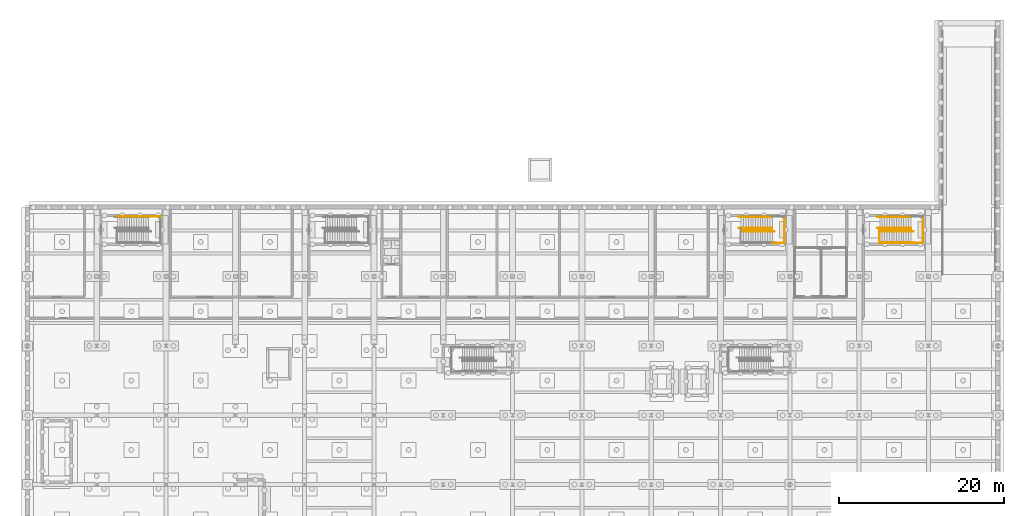
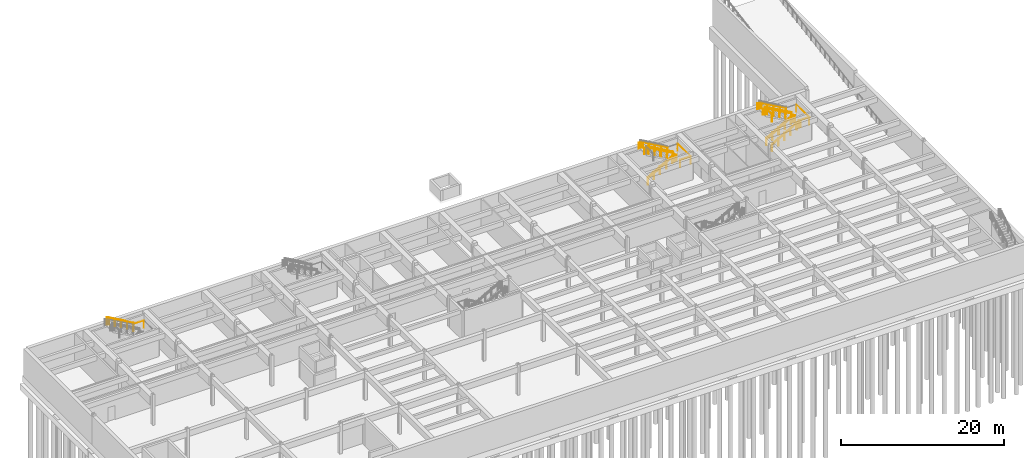
# One storey, part 31 of 33: 19 railings.
"""IFC4 building model written with IfcOpenShell, lengths in metres."""

from ifc_helpers import new_model, si_unit, direction, frame, origin, origin_2d, place, context, subcontext, project, spatial, circle, extrude, material, type_object, element, save


model = new_model("IFC4")

# Units and contexts
model_context = context("Model", 3, precision=1e-05, world=origin(), true_north=direction((0.0, 1.0)))
body_context = subcontext(model_context, "Body", "Model", "MODEL_VIEW")
ifc_project = project(units=[si_unit("LENGTHUNIT", "METRE"), si_unit("AREAUNIT", "SQUARE_METRE"), si_unit("VOLUMEUNIT", "CUBIC_METRE"), si_unit("PLANEANGLEUNIT", "RADIAN"), si_unit("MASSUNIT", "GRAM", prefix="KILO")], contexts=[model_context])

# Site, building, storey
site_placement = place(None, origin())
site = spatial("IfcSite", under=ifc_project, at=site_placement, CompositionType="ELEMENT")
building_placement = place(site_placement, origin())
building = spatial("IfcBuilding", under=site, at=building_placement, Name="Ljudholm Concert House", CompositionType="ELEMENT")
storey_placement = place(building_placement, frame((0.0, 0.0, -4.60009765625)))
storey = spatial("IfcBuildingStorey", under=building, at=storey_placement, Name="B1", CompositionType="ELEMENT", Elevation=-4.60009765625)

# Railings
ifc_material_1 = material(Name="Steel ASTM A36", Category="steel")
railing_type_1 = type_object("IfcRailingType", Name="GUARD 1100", PredefinedType="GUARDRAIL", material=ifc_material_1)
railing_1_placement = place(storey_placement, frame((18.669921875, 145.675048828125, 2.46435546875)))
element("IfcRailing", 1, at=railing_1_placement, inside=storey, type_object=railing_type_1, Name="Guard", PredefinedType="GUARDRAIL", context=body_context, shape_type="SweptSolid", body=[
    extrude(circle(Radius=0.02490234375, at=origin_2d()), frame((0.0, 0.0, 1.0751953125), z_axis=(-0.870025677096, 0.0, 0.493006410906), x_axis=(0.0, -1.0, 0.0)), (0.0, 0.0, 1.0), 0.999755859375),
    extrude(circle(Radius=0.02490234375, at=origin_2d()), frame((-0.869873046875, 0.0, 1.56787109375), z_axis=(-0.870085008278, 0.0, 0.4929016924), x_axis=(0.0, -1.0, 0.0)), (0.0, 0.0, 1.0), 1.0),
    extrude(circle(Radius=0.02490234375, at=origin_2d()), frame((-1.739990234375, 0.0, 2.06103515625), z_axis=(-0.870130407247, 0.0, 0.492821544155), x_axis=(0.0, -1.0, 0.0)), (0.0, 0.0, 1.0), 0.999755859375),
    extrude(circle(Radius=0.02490234375, at=origin_2d()), frame((-2.60986328125, 0.0, 2.5537109375), z_axis=(-0.870085008278, 0.0, 0.4929016924), x_axis=(0.0, -1.0, 0.0)), (0.0, 0.0, 1.0), 1.0),
    extrude(circle(Radius=0.02490234375, at=origin_2d()), frame((-3.47998046875, 0.0, 3.04638671875), z_axis=(-0.870085008278, 0.0, 0.4929016924), x_axis=(0.0, -1.0, 0.0)), (0.0, 0.0, 1.0), 0.333251953125),
    extrude(circle(Radius=0.02099609375, at=origin_2d()), origin(), (0.0, 0.0, 1.0), 1.050048828125),
    extrude(circle(Radius=0.02099609375, at=origin_2d()), frame((-0.869873046875, 0.0, 0.492919921875)), (0.0, 0.0, 1.0), 1.050048828125),
    extrude(circle(Radius=0.02099609375, at=origin_2d()), frame((-1.739990234375, 0.0, 0.98583984375)), (0.0, 0.0, 1.0), 1.050048828125),
    extrude(circle(Radius=0.02099609375, at=origin_2d()), frame((-2.60986328125, 0.0, 1.478515625)), (0.0, 0.0, 1.0), 1.050048828125),
    extrude(circle(Radius=0.02099609375, at=origin_2d()), frame((-3.47998046875, 0.0, 1.971435546875)), (0.0, 0.0, 1.0), 1.050048828125),
    extrude(circle(Radius=0.02099609375, at=origin_2d()), frame((-3.77001953125, 0.0, 2.1357421875)), (0.0, 0.0, 1.0), 1.050048828125),
])
railing_2_placement = place(storey_placement, frame((18.669921875, 145.675048828125, 2.300048828125)))
element("IfcRailing", 2, at=railing_2_placement, inside=storey, type_object=railing_type_1, Name="Guard", PredefinedType="GUARDRAIL", context=body_context, shape_type="SweptSolid", body=[
    extrude(circle(Radius=0.02490234375, at=origin_2d()), frame((0.0, 0.0, 1.0751953125), z_axis=(1.0, 0.0, 0.0), x_axis=(0.0, 1.0, 0.0)), (0.0, 0.0, 1.0), 1.47509765625),
    extrude(circle(Radius=0.02099609375, at=origin_2d()), origin(), (0.0, 0.0, 1.0), 1.050048828125),
    extrude(circle(Radius=0.02099609375, at=origin_2d()), frame((1.47509765625, 0.0, 0.0)), (0.0, 0.0, 1.0), 1.050048828125),
])
railing_3_placement = place(storey_placement, frame((90.5, 143.925048828125, 0.164306640625)))
element("IfcRailing", 3, at=railing_3_placement, inside=storey, type_object=railing_type_1, Name="Guard", PredefinedType="GUARDRAIL", context=body_context, shape_type="SweptSolid", body=[
    extrude(circle(Radius=0.02490234375, at=origin_2d()), frame((0.0, 0.0, 1.0751953125), z_axis=(0.870085008278, 0.0, 0.4929016924), x_axis=(0.0, 1.0, 0.0)), (0.0, 0.0, 1.0), 1.0),
    extrude(circle(Radius=0.02490234375, at=origin_2d()), frame((0.8701171875, 0.0, 1.56787109375), z_axis=(0.870025677096, 0.0, 0.493006410906), x_axis=(0.0, 1.0, 0.0)), (0.0, 0.0, 1.0), 0.999755859375),
    extrude(circle(Radius=0.02490234375, at=origin_2d()), frame((1.739990234375, 0.0, 2.06103515625), z_axis=(0.870085008278, 0.0, 0.4929016924), x_axis=(0.0, 1.0, 0.0)), (0.0, 0.0, 1.0), 1.0),
    extrude(circle(Radius=0.02490234375, at=origin_2d()), frame((2.610107421875, 0.0, 2.5537109375), z_axis=(0.870130407247, 0.0, 0.492821544155), x_axis=(0.0, 1.0, 0.0)), (0.0, 0.0, 1.0), 0.999755859375),
    extrude(circle(Radius=0.02490234375, at=origin_2d()), frame((3.47998046875, 0.0, 3.04638671875), z_axis=(0.870085008278, 0.0, 0.4929016924), x_axis=(0.0, 1.0, 0.0)), (0.0, 0.0, 1.0), 0.333251953125),
    extrude(circle(Radius=0.02099609375, at=origin_2d()), origin(), (0.0, 0.0, 1.0), 1.050048828125),
    extrude(circle(Radius=0.02099609375, at=origin_2d()), frame((0.8701171875, 0.0, 0.492919921875)), (0.0, 0.0, 1.0), 1.050048828125),
    extrude(circle(Radius=0.02099609375, at=origin_2d()), frame((1.739990234375, 0.0, 0.98583984375)), (0.0, 0.0, 1.0), 1.050048828125),
    extrude(circle(Radius=0.02099609375, at=origin_2d()), frame((2.610107421875, 0.0, 1.478759765625)), (0.0, 0.0, 1.0), 1.050048828125),
    extrude(circle(Radius=0.02099609375, at=origin_2d()), frame((3.47998046875, 0.0, 1.971435546875)), (0.0, 0.0, 1.0), 1.050048828125),
    extrude(circle(Radius=0.02099609375, at=origin_2d()), frame((3.77001953125, 0.0, 2.1357421875)), (0.0, 0.0, 1.0), 1.050048828125),
])
railing_4_placement = place(storey_placement, frame((94.27001953125, 144.22509765625, 2.46435546875)))
element("IfcRailing", 4, at=railing_4_placement, inside=storey, type_object=railing_type_1, Name="Guard", PredefinedType="GUARDRAIL", context=body_context, shape_type="SweptSolid", body=[
    extrude(circle(Radius=0.02490234375, at=origin_2d()), frame((0.0, 0.0, 1.0751953125), z_axis=(-0.870085008278, 0.0, 0.4929016924), x_axis=(0.0, -1.0, 0.0)), (0.0, 0.0, 1.0), 1.0),
    extrude(circle(Radius=0.02490234375, at=origin_2d()), frame((-0.8701171875, 0.0, 1.56787109375), z_axis=(-0.870025677096, 0.0, 0.493006410906), x_axis=(0.0, -1.0, 0.0)), (0.0, 0.0, 1.0), 0.999755859375),
    extrude(circle(Radius=0.02490234375, at=origin_2d()), frame((-1.739990234375, 0.0, 2.06103515625), z_axis=(-0.870189701074, 0.0, 0.492716839721), x_axis=(0.0, -1.0, 0.0)), (0.0, 0.0, 1.0), 1.0),
    extrude(circle(Radius=0.02490234375, at=origin_2d()), frame((-2.610107421875, 0.0, 2.5537109375), z_axis=(-0.870025677096, 0.0, 0.493006410906), x_axis=(0.0, -1.0, 0.0)), (0.0, 0.0, 1.0), 0.999755859375),
    extrude(circle(Radius=0.02490234375, at=origin_2d()), frame((-3.47998046875, 0.0, 3.04638671875), z_axis=(-0.870085008278, 0.0, 0.4929016924), x_axis=(0.0, -1.0, 0.0)), (0.0, 0.0, 1.0), 0.333251953125),
    extrude(circle(Radius=0.02099609375, at=origin_2d()), origin(), (0.0, 0.0, 1.0), 1.050048828125),
    extrude(circle(Radius=0.02099609375, at=origin_2d()), frame((-0.8701171875, 0.0, 0.492919921875)), (0.0, 0.0, 1.0), 1.050048828125),
    extrude(circle(Radius=0.02099609375, at=origin_2d()), frame((-1.739990234375, 0.0, 0.98583984375)), (0.0, 0.0, 1.0), 1.050048828125),
    extrude(circle(Radius=0.02099609375, at=origin_2d()), frame((-2.610107421875, 0.0, 1.478515625)), (0.0, 0.0, 1.0), 1.050048828125),
    extrude(circle(Radius=0.02099609375, at=origin_2d()), frame((-3.47998046875, 0.0, 1.971435546875)), (0.0, 0.0, 1.0), 1.050048828125),
    extrude(circle(Radius=0.02099609375, at=origin_2d()), frame((-3.77001953125, 0.0, 2.1357421875)), (0.0, 0.0, 1.0), 1.050048828125),
])
railing_5_placement = place(storey_placement, frame((94.27001953125, 142.47509765625, 2.300048828125)))
element("IfcRailing", 5, at=railing_5_placement, inside=storey, type_object=railing_type_1, Name="Guard", PredefinedType="GUARDRAIL", context=body_context, shape_type="SweptSolid", body=[
    extrude(circle(Radius=0.02490234375, at=origin_2d()), frame((0.0, 0.0, 1.0751953125), z_axis=(1.0, 0.0, 0.0), x_axis=(0.0, 1.0, 0.0)), (0.0, 0.0, 1.0), 1.47509765625),
    extrude(circle(Radius=0.02099609375, at=origin_2d()), origin(), (0.0, 0.0, 1.0), 1.050048828125),
    extrude(circle(Radius=0.02099609375, at=origin_2d()), frame((1.47509765625, 0.0, 0.0)), (0.0, 0.0, 1.0), 1.050048828125),
])
railing_6_placement = place(storey_placement, frame((95.7451171875, 142.47509765625, 2.300048828125)))
element("IfcRailing", 6, at=railing_6_placement, inside=storey, type_object=railing_type_1, Name="Guard", PredefinedType="GUARDRAIL", context=body_context, shape_type="SweptSolid", body=[
    extrude(circle(Radius=0.02490234375, at=origin_2d()), frame((0.0, 0.0, 1.0751953125), z_axis=(0.0, 1.0, 0.0), x_axis=(-1.0, 0.0, 0.0)), (0.0, 0.0, 1.0), 3.199951171875),
    extrude(circle(Radius=0.02099609375, at=origin_2d()), origin(), (0.0, 0.0, 1.0), 1.050048828125),
    extrude(circle(Radius=0.02099609375, at=origin_2d()), frame((0.0, 3.199951171875, 0.0)), (0.0, 0.0, 1.0), 1.050048828125),
])
railing_7_placement = place(storey_placement, frame((107.300048828125, 143.925048828125, 0.164306640625)))
element("IfcRailing", 7, at=railing_7_placement, inside=storey, type_object=railing_type_1, Name="Guard", PredefinedType="GUARDRAIL", context=body_context, shape_type="SweptSolid", body=[
    extrude(circle(Radius=0.02490234375, at=origin_2d()), frame((0.0, 0.0, 1.0751953125), z_axis=(0.870025677096, 0.0, 0.493006410906), x_axis=(0.0, 1.0, 0.0)), (0.0, 0.0, 1.0), 0.999755859375),
    extrude(circle(Radius=0.02490234375, at=origin_2d()), frame((0.869873046875, 0.0, 1.56787109375), z_axis=(0.870085008278, 0.0, 0.4929016924), x_axis=(0.0, 1.0, 0.0)), (0.0, 0.0, 1.0), 1.0),
    extrude(circle(Radius=0.02490234375, at=origin_2d()), frame((1.739990234375, 0.0, 2.06103515625), z_axis=(0.870025677096, 0.0, 0.493006410906), x_axis=(0.0, 1.0, 0.0)), (0.0, 0.0, 1.0), 0.999755859375),
    extrude(circle(Radius=0.02490234375, at=origin_2d()), frame((2.60986328125, 0.0, 2.5537109375), z_axis=(0.870189701074, 0.0, 0.492716839721), x_axis=(0.0, 1.0, 0.0)), (0.0, 0.0, 1.0), 1.0),
    extrude(circle(Radius=0.02490234375, at=origin_2d()), frame((3.47998046875, 0.0, 3.04638671875), z_axis=(0.870085008278, 0.0, 0.4929016924), x_axis=(0.0, 1.0, 0.0)), (0.0, 0.0, 1.0), 0.333251953125),
    extrude(circle(Radius=0.02099609375, at=origin_2d()), origin(), (0.0, 0.0, 1.0), 1.050048828125),
    extrude(circle(Radius=0.02099609375, at=origin_2d()), frame((0.869873046875, 0.0, 0.492919921875)), (0.0, 0.0, 1.0), 1.050048828125),
    extrude(circle(Radius=0.02099609375, at=origin_2d()), frame((1.739990234375, 0.0, 0.98583984375)), (0.0, 0.0, 1.0), 1.050048828125),
    extrude(circle(Radius=0.02099609375, at=origin_2d()), frame((2.60986328125, 0.0, 1.478759765625)), (0.0, 0.0, 1.0), 1.050048828125),
    extrude(circle(Radius=0.02099609375, at=origin_2d()), frame((3.47998046875, 0.0, 1.971435546875)), (0.0, 0.0, 1.0), 1.050048828125),
    extrude(circle(Radius=0.02099609375, at=origin_2d()), frame((3.77001953125, 0.0, 2.1357421875)), (0.0, 0.0, 1.0), 1.050048828125),
])
railing_8_placement = place(storey_placement, frame((107.300048828125, 142.47509765625, 0.164306640625)))
element("IfcRailing", 8, at=railing_8_placement, inside=storey, type_object=railing_type_1, Name="Guard", PredefinedType="GUARDRAIL", context=body_context, shape_type="SweptSolid", body=[
    extrude(circle(Radius=0.02490234375, at=origin_2d()), frame((0.0, 0.0, 1.0751953125), z_axis=(0.870025677096, 0.0, 0.493006410906), x_axis=(0.0, 1.0, 0.0)), (0.0, 0.0, 1.0), 0.999755859375),
    extrude(circle(Radius=0.02490234375, at=origin_2d()), frame((0.869873046875, 0.0, 1.56787109375), z_axis=(0.870085008278, 0.0, 0.4929016924), x_axis=(0.0, 1.0, 0.0)), (0.0, 0.0, 1.0), 1.0),
    extrude(circle(Radius=0.02490234375, at=origin_2d()), frame((1.739990234375, 0.0, 2.06103515625), z_axis=(0.870025677096, 0.0, 0.493006410906), x_axis=(0.0, 1.0, 0.0)), (0.0, 0.0, 1.0), 0.999755859375),
    extrude(circle(Radius=0.02490234375, at=origin_2d()), frame((2.60986328125, 0.0, 2.5537109375), z_axis=(0.870189701074, 0.0, 0.492716839721), x_axis=(0.0, 1.0, 0.0)), (0.0, 0.0, 1.0), 1.0),
    extrude(circle(Radius=0.02490234375, at=origin_2d()), frame((3.47998046875, 0.0, 3.04638671875), z_axis=(0.870085008278, 0.0, 0.4929016924), x_axis=(0.0, 1.0, 0.0)), (0.0, 0.0, 1.0), 0.333251953125),
    extrude(circle(Radius=0.02099609375, at=origin_2d()), origin(), (0.0, 0.0, 1.0), 1.050048828125),
    extrude(circle(Radius=0.02099609375, at=origin_2d()), frame((0.869873046875, 0.0, 0.492919921875)), (0.0, 0.0, 1.0), 1.050048828125),
    extrude(circle(Radius=0.02099609375, at=origin_2d()), frame((1.739990234375, 0.0, 0.98583984375)), (0.0, 0.0, 1.0), 1.050048828125),
    extrude(circle(Radius=0.02099609375, at=origin_2d()), frame((2.60986328125, 0.0, 1.478759765625)), (0.0, 0.0, 1.0), 1.050048828125),
    extrude(circle(Radius=0.02099609375, at=origin_2d()), frame((3.47998046875, 0.0, 1.971435546875)), (0.0, 0.0, 1.0), 1.050048828125),
    extrude(circle(Radius=0.02099609375, at=origin_2d()), frame((3.77001953125, 0.0, 2.1357421875)), (0.0, 0.0, 1.0), 1.050048828125),
])
railing_9_placement = place(storey_placement, frame((111.070068359375, 144.22509765625, 2.46435546875)))
element("IfcRailing", 9, at=railing_9_placement, inside=storey, type_object=railing_type_1, Name="Guard", PredefinedType="GUARDRAIL", context=body_context, shape_type="SweptSolid", body=[
    extrude(circle(Radius=0.02490234375, at=origin_2d()), frame((0.0, 0.0, 1.0751953125), z_axis=(-0.870085008278, 0.0, 0.4929016924), x_axis=(0.0, -1.0, 0.0)), (0.0, 0.0, 1.0), 1.0),
    extrude(circle(Radius=0.02490234375, at=origin_2d()), frame((-0.8701171875, 0.0, 1.56787109375), z_axis=(-0.870025677096, 0.0, 0.493006410906), x_axis=(0.0, -1.0, 0.0)), (0.0, 0.0, 1.0), 0.999755859375),
    extrude(circle(Radius=0.02490234375, at=origin_2d()), frame((-1.739990234375, 0.0, 2.06103515625), z_axis=(-0.870189701074, 0.0, 0.492716839721), x_axis=(0.0, -1.0, 0.0)), (0.0, 0.0, 1.0), 1.0),
    extrude(circle(Radius=0.02490234375, at=origin_2d()), frame((-2.610107421875, 0.0, 2.5537109375), z_axis=(-0.870025677096, 0.0, 0.493006410906), x_axis=(0.0, -1.0, 0.0)), (0.0, 0.0, 1.0), 0.999755859375),
    extrude(circle(Radius=0.02490234375, at=origin_2d()), frame((-3.47998046875, 0.0, 3.04638671875), z_axis=(-0.870085008278, 0.0, 0.4929016924), x_axis=(0.0, -1.0, 0.0)), (0.0, 0.0, 1.0), 0.333251953125),
    extrude(circle(Radius=0.02099609375, at=origin_2d()), origin(), (0.0, 0.0, 1.0), 1.050048828125),
    extrude(circle(Radius=0.02099609375, at=origin_2d()), frame((-0.8701171875, 0.0, 0.492919921875)), (0.0, 0.0, 1.0), 1.050048828125),
    extrude(circle(Radius=0.02099609375, at=origin_2d()), frame((-1.739990234375, 0.0, 0.98583984375)), (0.0, 0.0, 1.0), 1.050048828125),
    extrude(circle(Radius=0.02099609375, at=origin_2d()), frame((-2.610107421875, 0.0, 1.478515625)), (0.0, 0.0, 1.0), 1.050048828125),
    extrude(circle(Radius=0.02099609375, at=origin_2d()), frame((-3.47998046875, 0.0, 1.971435546875)), (0.0, 0.0, 1.0), 1.050048828125),
    extrude(circle(Radius=0.02099609375, at=origin_2d()), frame((-3.77001953125, 0.0, 2.1357421875)), (0.0, 0.0, 1.0), 1.050048828125),
])
railing_10_placement = place(storey_placement, frame((107.25, 142.449951171875, 4.60009765625)))
element("IfcRailing", 10, at=railing_10_placement, inside=storey, type_object=railing_type_1, Name="Guard", PredefinedType="GUARDRAIL", context=body_context, shape_type="SweptSolid", body=[
    extrude(circle(Radius=0.02490234375, at=origin_2d()), frame((0.0, 0.0, 1.0751953125), z_axis=(0.0, 1.0, 0.0), x_axis=(-1.0, 0.0, 0.0)), (0.0, 0.0, 1.0), 1.75),
    extrude(circle(Radius=0.02099609375, at=origin_2d()), origin(), (0.0, 0.0, 1.0), 1.050048828125),
    extrude(circle(Radius=0.02099609375, at=origin_2d()), frame((0.0, 1.75, 0.0)), (0.0, 0.0, 1.0), 1.050048828125),
])
railing_11_placement = place(storey_placement, frame((111.070068359375, 142.47509765625, 2.300048828125)))
element("IfcRailing", 11, at=railing_11_placement, inside=storey, type_object=railing_type_1, Name="Guard", PredefinedType="GUARDRAIL", context=body_context, shape_type="SweptSolid", body=[
    extrude(circle(Radius=0.02490234375, at=origin_2d()), frame((0.0, 0.0, 1.0751953125), z_axis=(1.0, 0.0, 0.0), x_axis=(0.0, 1.0, 0.0)), (0.0, 0.0, 1.0), 1.474853515625),
    extrude(circle(Radius=0.02099609375, at=origin_2d()), origin(), (0.0, 0.0, 1.0), 1.050048828125),
    extrude(circle(Radius=0.02099609375, at=origin_2d()), frame((1.474853515625, 0.0, 0.0)), (0.0, 0.0, 1.0), 1.050048828125),
])
railing_12_placement = place(storey_placement, frame((112.544921875, 142.47509765625, 2.300048828125)))
element("IfcRailing", 12, at=railing_12_placement, inside=storey, type_object=railing_type_1, Name="Guard", PredefinedType="GUARDRAIL", context=body_context, shape_type="SweptSolid", body=[
    extrude(circle(Radius=0.02490234375, at=origin_2d()), frame((0.0, 0.0, 1.0751953125), z_axis=(0.0, 1.0, 0.0), x_axis=(-1.0, 0.0, 0.0)), (0.0, 0.0, 1.0), 3.199951171875),
    extrude(circle(Radius=0.02099609375, at=origin_2d()), origin(), (0.0, 0.0, 1.0), 1.050048828125),
    extrude(circle(Radius=0.02099609375, at=origin_2d()), frame((0.0, 3.199951171875, 0.0)), (0.0, 0.0, 1.0), 1.050048828125),
])
ifc_material_2 = material(Name="Steel ASTM A36", Category="steel")
railing_type_2 = type_object("IfcRailingType", Name="HANDRAIL 900", PredefinedType="HANDRAIL", material=ifc_material_2)
railing_13_placement = place(storey_placement, frame((90.5, 143.875, 0.164306640625)))
element("IfcRailing", 13, at=railing_13_placement, inside=storey, type_object=railing_type_2, Name="Handrail", PredefinedType="HANDRAIL", context=body_context, shape_type="SweptSolid", body=[
    extrude(circle(Radius=0.0224609375, at=origin_2d()), frame((0.0, 0.0, 0.87744140625), z_axis=(0.870085008278, 0.0, 0.4929016924), x_axis=(0.0, 1.0, 0.0)), (0.0, 0.0, 1.0), 1.0),
    extrude(circle(Radius=0.0224609375, at=origin_2d()), frame((0.8701171875, 0.0, 1.370361328125), z_axis=(0.870025677096, 0.0, 0.493006410906), x_axis=(0.0, 1.0, 0.0)), (0.0, 0.0, 1.0), 0.999755859375),
    extrude(circle(Radius=0.0224609375, at=origin_2d()), frame((1.739990234375, 0.0, 1.86328125), z_axis=(0.870085008278, 0.0, 0.4929016924), x_axis=(0.0, 1.0, 0.0)), (0.0, 0.0, 1.0), 1.0),
    extrude(circle(Radius=0.0224609375, at=origin_2d()), frame((2.610107421875, 0.0, 2.356201171875), z_axis=(0.870130407247, 0.0, 0.492821544155), x_axis=(0.0, 1.0, 0.0)), (0.0, 0.0, 1.0), 0.999755859375),
    extrude(circle(Radius=0.0224609375, at=origin_2d()), frame((3.47998046875, 0.0, 2.848876953125), z_axis=(0.870085008278, 0.0, 0.4929016924), x_axis=(0.0, 1.0, 0.0)), (0.0, 0.0, 1.0), 0.333251953125),
    extrude(circle(Radius=0.0224609375, at=origin_2d()), frame((3.77001953125, 0.0, 3.01318359375), z_axis=(1.0, 0.0, 0.0), x_axis=(0.0, 1.0, 0.0)), (0.0, 0.0, 1.0), 0.300048828125),
    extrude(circle(Radius=0.02099609375, at=origin_2d()), origin(), (0.0, 0.0, 1.0), 0.85498046875),
    extrude(circle(Radius=0.02099609375, at=origin_2d()), frame((0.8701171875, 0.0, 0.492919921875)), (0.0, 0.0, 1.0), 0.85498046875),
    extrude(circle(Radius=0.02099609375, at=origin_2d()), frame((1.739990234375, 0.0, 0.98583984375)), (0.0, 0.0, 1.0), 0.85498046875),
    extrude(circle(Radius=0.02099609375, at=origin_2d()), frame((2.610107421875, 0.0, 1.478759765625)), (0.0, 0.0, 1.0), 0.85498046875),
    extrude(circle(Radius=0.02099609375, at=origin_2d()), frame((3.47998046875, 0.0, 1.971435546875)), (0.0, 0.0, 1.0), 0.85498046875),
    extrude(circle(Radius=0.02099609375, at=origin_2d()), frame((3.77001953125, 0.0, 2.1357421875)), (0.0, 0.0, 1.0), 0.85498046875),
    extrude(circle(Radius=0.02099609375, at=origin_2d()), frame((4.070068359375, 0.0, 2.1357421875)), (0.0, 0.0, 1.0), 0.85498046875),
])
railing_14_placement = place(storey_placement, frame((94.27001953125, 144.27490234375, 2.46435546875)))
element("IfcRailing", 14, at=railing_14_placement, inside=storey, type_object=railing_type_2, Name="Handrail", PredefinedType="HANDRAIL", context=body_context, shape_type="SweptSolid", body=[
    extrude(circle(Radius=0.0224609375, at=origin_2d()), frame((0.0, 0.0, 0.87744140625), z_axis=(-0.870085008278, 0.0, 0.4929016924), x_axis=(0.0, -1.0, 0.0)), (0.0, 0.0, 1.0), 1.0),
    extrude(circle(Radius=0.0224609375, at=origin_2d()), frame((-0.8701171875, 0.0, 1.370361328125), z_axis=(-0.870025677096, 0.0, 0.493006410906), x_axis=(0.0, -1.0, 0.0)), (0.0, 0.0, 1.0), 0.999755859375),
    extrude(circle(Radius=0.0224609375, at=origin_2d()), frame((-1.739990234375, 0.0, 1.86328125), z_axis=(-0.870189701074, 0.0, 0.492716839721), x_axis=(0.0, -1.0, 0.0)), (0.0, 0.0, 1.0), 1.0),
    extrude(circle(Radius=0.0224609375, at=origin_2d()), frame((-2.610107421875, 0.0, 2.35595703125), z_axis=(-0.870025677096, 0.0, 0.493006410906), x_axis=(0.0, -1.0, 0.0)), (0.0, 0.0, 1.0), 0.999755859375),
    extrude(circle(Radius=0.0224609375, at=origin_2d()), frame((-3.47998046875, 0.0, 2.848876953125), z_axis=(-0.870085008278, 0.0, 0.4929016924), x_axis=(0.0, -1.0, 0.0)), (0.0, 0.0, 1.0), 0.333251953125),
    extrude(circle(Radius=0.0224609375, at=origin_2d()), frame((-3.77001953125, 0.0, 3.01318359375), z_axis=(-1.0, 0.0, 0.0), x_axis=(0.0, -1.0, 0.0)), (0.0, 0.0, 1.0), 0.300048828125),
    extrude(circle(Radius=0.02099609375, at=origin_2d()), origin(), (0.0, 0.0, 1.0), 0.85498046875),
    extrude(circle(Radius=0.02099609375, at=origin_2d()), frame((-0.8701171875, 0.0, 0.492919921875)), (0.0, 0.0, 1.0), 0.85498046875),
    extrude(circle(Radius=0.02099609375, at=origin_2d()), frame((-1.739990234375, 0.0, 0.98583984375)), (0.0, 0.0, 1.0), 0.85498046875),
    extrude(circle(Radius=0.02099609375, at=origin_2d()), frame((-2.610107421875, 0.0, 1.478515625)), (0.0, 0.0, 1.0), 0.85498046875),
    extrude(circle(Radius=0.02099609375, at=origin_2d()), frame((-3.47998046875, 0.0, 1.971435546875)), (0.0, 0.0, 1.0), 0.85498046875),
    extrude(circle(Radius=0.02099609375, at=origin_2d()), frame((-3.77001953125, 0.0, 2.1357421875)), (0.0, 0.0, 1.0), 0.85498046875),
    extrude(circle(Radius=0.02099609375, at=origin_2d()), frame((-4.070068359375, 0.0, 2.1357421875)), (0.0, 0.0, 1.0), 0.85498046875),
])
railing_15_placement = place(storey_placement, frame((94.27001953125, 145.625, 2.46435546875)))
element("IfcRailing", 15, at=railing_15_placement, inside=storey, type_object=railing_type_2, Name="Handrail", PredefinedType="HANDRAIL", context=body_context, shape_type="SweptSolid", body=[
    extrude(circle(Radius=0.0224609375, at=origin_2d()), frame((0.0, 0.0, 0.87744140625), z_axis=(-0.870085008278, 0.0, 0.4929016924), x_axis=(0.0, -1.0, 0.0)), (0.0, 0.0, 1.0), 1.0),
    extrude(circle(Radius=0.0224609375, at=origin_2d()), frame((-0.8701171875, 0.0, 1.370361328125), z_axis=(-0.870025677096, 0.0, 0.493006410906), x_axis=(0.0, -1.0, 0.0)), (0.0, 0.0, 1.0), 0.999755859375),
    extrude(circle(Radius=0.0224609375, at=origin_2d()), frame((-1.739990234375, 0.0, 1.86328125), z_axis=(-0.870189701074, 0.0, 0.492716839721), x_axis=(0.0, -1.0, 0.0)), (0.0, 0.0, 1.0), 1.0),
    extrude(circle(Radius=0.0224609375, at=origin_2d()), frame((-2.610107421875, 0.0, 2.35595703125), z_axis=(-0.870025677096, 0.0, 0.493006410906), x_axis=(0.0, -1.0, 0.0)), (0.0, 0.0, 1.0), 0.999755859375),
    extrude(circle(Radius=0.0224609375, at=origin_2d()), frame((-3.47998046875, 0.0, 2.848876953125), z_axis=(-0.870085008278, 0.0, 0.4929016924), x_axis=(0.0, -1.0, 0.0)), (0.0, 0.0, 1.0), 0.333251953125),
    extrude(circle(Radius=0.0224609375, at=origin_2d()), frame((-3.77001953125, 0.0, 3.01318359375), z_axis=(-1.0, 0.0, 0.0), x_axis=(0.0, -1.0, 0.0)), (0.0, 0.0, 1.0), 0.300048828125),
    extrude(circle(Radius=0.02099609375, at=origin_2d()), origin(), (0.0, 0.0, 1.0), 0.85498046875),
    extrude(circle(Radius=0.02099609375, at=origin_2d()), frame((-0.8701171875, 0.0, 0.492919921875)), (0.0, 0.0, 1.0), 0.85498046875),
    extrude(circle(Radius=0.02099609375, at=origin_2d()), frame((-1.739990234375, 0.0, 0.98583984375)), (0.0, 0.0, 1.0), 0.85498046875),
    extrude(circle(Radius=0.02099609375, at=origin_2d()), frame((-2.610107421875, 0.0, 1.478515625)), (0.0, 0.0, 1.0), 0.85498046875),
    extrude(circle(Radius=0.02099609375, at=origin_2d()), frame((-3.47998046875, 0.0, 1.971435546875)), (0.0, 0.0, 1.0), 0.85498046875),
    extrude(circle(Radius=0.02099609375, at=origin_2d()), frame((-3.77001953125, 0.0, 2.1357421875)), (0.0, 0.0, 1.0), 0.85498046875),
    extrude(circle(Radius=0.02099609375, at=origin_2d()), frame((-4.070068359375, 0.0, 2.1357421875)), (0.0, 0.0, 1.0), 0.85498046875),
])
railing_16_placement = place(storey_placement, frame((107.300048828125, 143.875, 0.164306640625)))
element("IfcRailing", 16, at=railing_16_placement, inside=storey, type_object=railing_type_2, Name="Handrail", PredefinedType="HANDRAIL", context=body_context, shape_type="SweptSolid", body=[
    extrude(circle(Radius=0.0224609375, at=origin_2d()), frame((0.0, 0.0, 0.87744140625), z_axis=(0.870025677096, 0.0, 0.493006410906), x_axis=(0.0, 1.0, 0.0)), (0.0, 0.0, 1.0), 0.999755859375),
    extrude(circle(Radius=0.0224609375, at=origin_2d()), frame((0.869873046875, 0.0, 1.370361328125), z_axis=(0.870085008278, 0.0, 0.4929016924), x_axis=(0.0, 1.0, 0.0)), (0.0, 0.0, 1.0), 1.0),
    extrude(circle(Radius=0.0224609375, at=origin_2d()), frame((1.739990234375, 0.0, 1.86328125), z_axis=(0.870025677096, 0.0, 0.493006410906), x_axis=(0.0, 1.0, 0.0)), (0.0, 0.0, 1.0), 0.999755859375),
    extrude(circle(Radius=0.0224609375, at=origin_2d()), frame((2.60986328125, 0.0, 2.356201171875), z_axis=(0.870189701074, 0.0, 0.492716839721), x_axis=(0.0, 1.0, 0.0)), (0.0, 0.0, 1.0), 1.0),
    extrude(circle(Radius=0.0224609375, at=origin_2d()), frame((3.47998046875, 0.0, 2.848876953125), z_axis=(0.870085008278, 0.0, 0.4929016924), x_axis=(0.0, 1.0, 0.0)), (0.0, 0.0, 1.0), 0.333251953125),
    extrude(circle(Radius=0.0224609375, at=origin_2d()), frame((3.77001953125, 0.0, 3.01318359375), z_axis=(1.0, 0.0, 0.0), x_axis=(0.0, 1.0, 0.0)), (0.0, 0.0, 1.0), 0.300048828125),
    extrude(circle(Radius=0.02099609375, at=origin_2d()), origin(), (0.0, 0.0, 1.0), 0.85498046875),
    extrude(circle(Radius=0.02099609375, at=origin_2d()), frame((0.869873046875, 0.0, 0.492919921875)), (0.0, 0.0, 1.0), 0.85498046875),
    extrude(circle(Radius=0.02099609375, at=origin_2d()), frame((1.739990234375, 0.0, 0.98583984375)), (0.0, 0.0, 1.0), 0.85498046875),
    extrude(circle(Radius=0.02099609375, at=origin_2d()), frame((2.60986328125, 0.0, 1.478759765625)), (0.0, 0.0, 1.0), 0.85498046875),
    extrude(circle(Radius=0.02099609375, at=origin_2d()), frame((3.47998046875, 0.0, 1.971435546875)), (0.0, 0.0, 1.0), 0.85498046875),
    extrude(circle(Radius=0.02099609375, at=origin_2d()), frame((3.77001953125, 0.0, 2.1357421875)), (0.0, 0.0, 1.0), 0.85498046875),
    extrude(circle(Radius=0.02099609375, at=origin_2d()), frame((4.070068359375, 0.0, 2.1357421875)), (0.0, 0.0, 1.0), 0.85498046875),
])
railing_17_placement = place(storey_placement, frame((107.300048828125, 142.52490234375, 0.164306640625)))
element("IfcRailing", 17, at=railing_17_placement, inside=storey, type_object=railing_type_2, Name="Handrail", PredefinedType="HANDRAIL", context=body_context, shape_type="SweptSolid", body=[
    extrude(circle(Radius=0.0224609375, at=origin_2d()), frame((0.0, 0.0, 0.87744140625), z_axis=(0.870025677096, 0.0, 0.493006410906), x_axis=(0.0, 1.0, 0.0)), (0.0, 0.0, 1.0), 0.999755859375),
    extrude(circle(Radius=0.0224609375, at=origin_2d()), frame((0.869873046875, 0.0, 1.370361328125), z_axis=(0.870085008278, 0.0, 0.4929016924), x_axis=(0.0, 1.0, 0.0)), (0.0, 0.0, 1.0), 1.0),
    extrude(circle(Radius=0.0224609375, at=origin_2d()), frame((1.739990234375, 0.0, 1.86328125), z_axis=(0.870025677096, 0.0, 0.493006410906), x_axis=(0.0, 1.0, 0.0)), (0.0, 0.0, 1.0), 0.999755859375),
    extrude(circle(Radius=0.0224609375, at=origin_2d()), frame((2.60986328125, 0.0, 2.356201171875), z_axis=(0.870189701074, 0.0, 0.492716839721), x_axis=(0.0, 1.0, 0.0)), (0.0, 0.0, 1.0), 1.0),
    extrude(circle(Radius=0.0224609375, at=origin_2d()), frame((3.47998046875, 0.0, 2.848876953125), z_axis=(0.870085008278, 0.0, 0.4929016924), x_axis=(0.0, 1.0, 0.0)), (0.0, 0.0, 1.0), 0.333251953125),
    extrude(circle(Radius=0.0224609375, at=origin_2d()), frame((3.77001953125, 0.0, 3.01318359375), z_axis=(1.0, 0.0, 0.0), x_axis=(0.0, 1.0, 0.0)), (0.0, 0.0, 1.0), 0.300048828125),
    extrude(circle(Radius=0.02099609375, at=origin_2d()), origin(), (0.0, 0.0, 1.0), 0.85498046875),
    extrude(circle(Radius=0.02099609375, at=origin_2d()), frame((0.869873046875, 0.0, 0.492919921875)), (0.0, 0.0, 1.0), 0.85498046875),
    extrude(circle(Radius=0.02099609375, at=origin_2d()), frame((1.739990234375, 0.0, 0.98583984375)), (0.0, 0.0, 1.0), 0.85498046875),
    extrude(circle(Radius=0.02099609375, at=origin_2d()), frame((2.60986328125, 0.0, 1.478759765625)), (0.0, 0.0, 1.0), 0.85498046875),
    extrude(circle(Radius=0.02099609375, at=origin_2d()), frame((3.47998046875, 0.0, 1.971435546875)), (0.0, 0.0, 1.0), 0.85498046875),
    extrude(circle(Radius=0.02099609375, at=origin_2d()), frame((3.77001953125, 0.0, 2.1357421875)), (0.0, 0.0, 1.0), 0.85498046875),
    extrude(circle(Radius=0.02099609375, at=origin_2d()), frame((4.070068359375, 0.0, 2.1357421875)), (0.0, 0.0, 1.0), 0.85498046875),
])
railing_18_placement = place(storey_placement, frame((111.070068359375, 144.27490234375, 2.46435546875)))
element("IfcRailing", 18, at=railing_18_placement, inside=storey, type_object=railing_type_2, Name="Handrail", PredefinedType="HANDRAIL", context=body_context, shape_type="SweptSolid", body=[
    extrude(circle(Radius=0.0224609375, at=origin_2d()), frame((0.0, 0.0, 0.87744140625), z_axis=(-0.870085008278, 0.0, 0.4929016924), x_axis=(0.0, -1.0, 0.0)), (0.0, 0.0, 1.0), 1.0),
    extrude(circle(Radius=0.0224609375, at=origin_2d()), frame((-0.8701171875, 0.0, 1.370361328125), z_axis=(-0.870025677096, 0.0, 0.493006410906), x_axis=(0.0, -1.0, 0.0)), (0.0, 0.0, 1.0), 0.999755859375),
    extrude(circle(Radius=0.0224609375, at=origin_2d()), frame((-1.739990234375, 0.0, 1.86328125), z_axis=(-0.870189701074, 0.0, 0.492716839721), x_axis=(0.0, -1.0, 0.0)), (0.0, 0.0, 1.0), 1.0),
    extrude(circle(Radius=0.0224609375, at=origin_2d()), frame((-2.610107421875, 0.0, 2.35595703125), z_axis=(-0.870025677096, 0.0, 0.493006410906), x_axis=(0.0, -1.0, 0.0)), (0.0, 0.0, 1.0), 0.999755859375),
    extrude(circle(Radius=0.0224609375, at=origin_2d()), frame((-3.47998046875, 0.0, 2.848876953125), z_axis=(-0.870085008278, 0.0, 0.4929016924), x_axis=(0.0, -1.0, 0.0)), (0.0, 0.0, 1.0), 0.333251953125),
    extrude(circle(Radius=0.0224609375, at=origin_2d()), frame((-3.77001953125, 0.0, 3.01318359375), z_axis=(-1.0, 0.0, 0.0), x_axis=(0.0, -1.0, 0.0)), (0.0, 0.0, 1.0), 0.300048828125),
    extrude(circle(Radius=0.02099609375, at=origin_2d()), origin(), (0.0, 0.0, 1.0), 0.85498046875),
    extrude(circle(Radius=0.02099609375, at=origin_2d()), frame((-0.8701171875, 0.0, 0.492919921875)), (0.0, 0.0, 1.0), 0.85498046875),
    extrude(circle(Radius=0.02099609375, at=origin_2d()), frame((-1.739990234375, 0.0, 0.98583984375)), (0.0, 0.0, 1.0), 0.85498046875),
    extrude(circle(Radius=0.02099609375, at=origin_2d()), frame((-2.610107421875, 0.0, 1.478515625)), (0.0, 0.0, 1.0), 0.85498046875),
    extrude(circle(Radius=0.02099609375, at=origin_2d()), frame((-3.47998046875, 0.0, 1.971435546875)), (0.0, 0.0, 1.0), 0.85498046875),
    extrude(circle(Radius=0.02099609375, at=origin_2d()), frame((-3.77001953125, 0.0, 2.1357421875)), (0.0, 0.0, 1.0), 0.85498046875),
    extrude(circle(Radius=0.02099609375, at=origin_2d()), frame((-4.070068359375, 0.0, 2.1357421875)), (0.0, 0.0, 1.0), 0.85498046875),
])
railing_19_placement = place(storey_placement, frame((111.070068359375, 145.625, 2.46435546875)))
element("IfcRailing", 19, at=railing_19_placement, inside=storey, type_object=railing_type_2, Name="Handrail", PredefinedType="HANDRAIL", context=body_context, shape_type="SweptSolid", body=[
    extrude(circle(Radius=0.0224609375, at=origin_2d()), frame((0.0, 0.0, 0.87744140625), z_axis=(-0.870085008278, 0.0, 0.4929016924), x_axis=(0.0, -1.0, 0.0)), (0.0, 0.0, 1.0), 1.0),
    extrude(circle(Radius=0.0224609375, at=origin_2d()), frame((-0.8701171875, 0.0, 1.370361328125), z_axis=(-0.870025677096, 0.0, 0.493006410906), x_axis=(0.0, -1.0, 0.0)), (0.0, 0.0, 1.0), 0.999755859375),
    extrude(circle(Radius=0.0224609375, at=origin_2d()), frame((-1.739990234375, 0.0, 1.86328125), z_axis=(-0.870189701074, 0.0, 0.492716839721), x_axis=(0.0, -1.0, 0.0)), (0.0, 0.0, 1.0), 1.0),
    extrude(circle(Radius=0.0224609375, at=origin_2d()), frame((-2.610107421875, 0.0, 2.35595703125), z_axis=(-0.870025677096, 0.0, 0.493006410906), x_axis=(0.0, -1.0, 0.0)), (0.0, 0.0, 1.0), 0.999755859375),
    extrude(circle(Radius=0.0224609375, at=origin_2d()), frame((-3.47998046875, 0.0, 2.848876953125), z_axis=(-0.870085008278, 0.0, 0.4929016924), x_axis=(0.0, -1.0, 0.0)), (0.0, 0.0, 1.0), 0.333251953125),
    extrude(circle(Radius=0.0224609375, at=origin_2d()), frame((-3.77001953125, 0.0, 3.01318359375), z_axis=(-1.0, 0.0, 0.0), x_axis=(0.0, -1.0, 0.0)), (0.0, 0.0, 1.0), 0.300048828125),
    extrude(circle(Radius=0.02099609375, at=origin_2d()), origin(), (0.0, 0.0, 1.0), 0.85498046875),
    extrude(circle(Radius=0.02099609375, at=origin_2d()), frame((-0.8701171875, 0.0, 0.492919921875)), (0.0, 0.0, 1.0), 0.85498046875),
    extrude(circle(Radius=0.02099609375, at=origin_2d()), frame((-1.739990234375, 0.0, 0.98583984375)), (0.0, 0.0, 1.0), 0.85498046875),
    extrude(circle(Radius=0.02099609375, at=origin_2d()), frame((-2.610107421875, 0.0, 1.478515625)), (0.0, 0.0, 1.0), 0.85498046875),
    extrude(circle(Radius=0.02099609375, at=origin_2d()), frame((-3.47998046875, 0.0, 1.971435546875)), (0.0, 0.0, 1.0), 0.85498046875),
    extrude(circle(Radius=0.02099609375, at=origin_2d()), frame((-3.77001953125, 0.0, 2.1357421875)), (0.0, 0.0, 1.0), 0.85498046875),
    extrude(circle(Radius=0.02099609375, at=origin_2d()), frame((-4.070068359375, 0.0, 2.1357421875)), (0.0, 0.0, 1.0), 0.85498046875),
])

save(model, "model.ifc")
